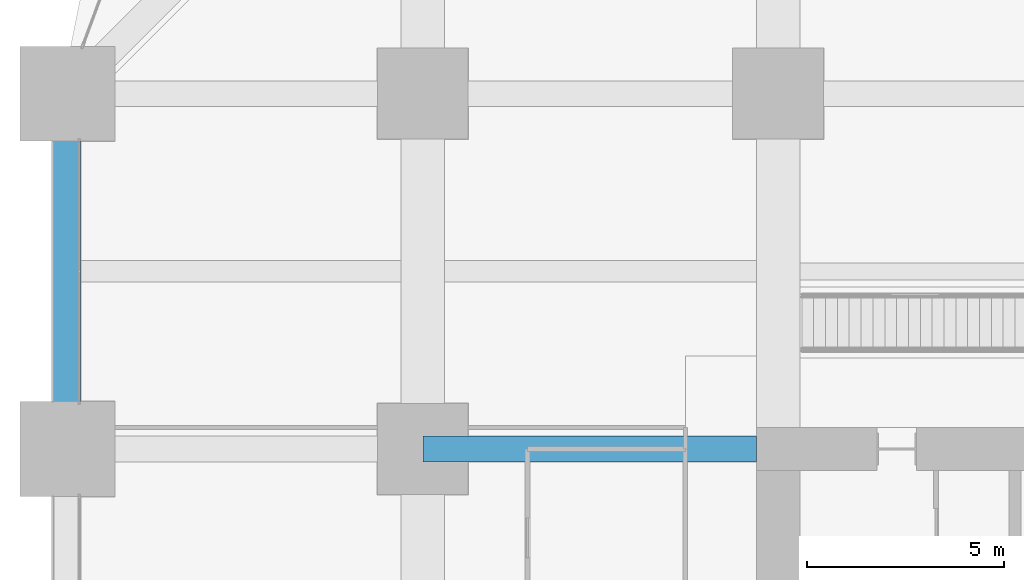
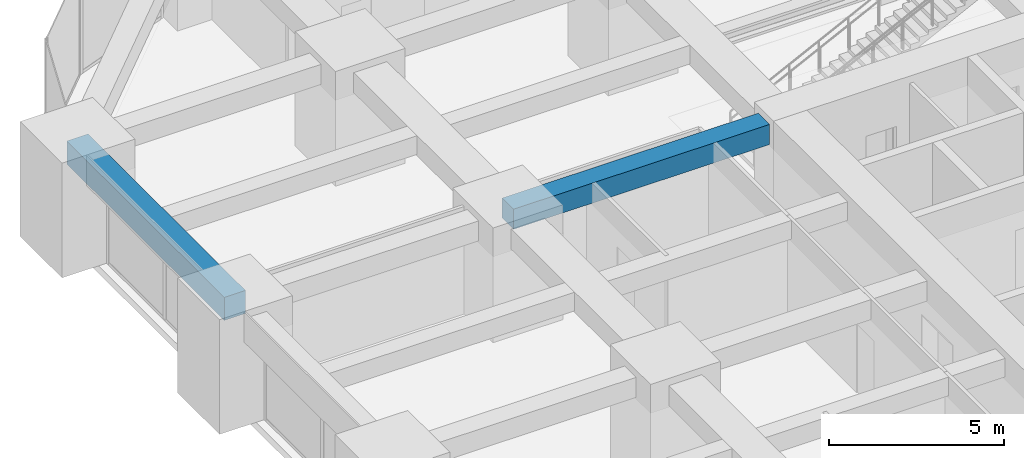
# One storey, part 24 of 45: 2 beams.
"""IFC4 building model written with IfcOpenShell, lengths in metres."""

from ifc_helpers import new_model, si_unit, direction, frame, origin, origin_2d, place, context, subcontext, project, spatial, rectangle, extrude, material, material_profile, profile_set, type_object, element, save


model = new_model("IFC4")

# Units and contexts
model_context = context("Model", 3, precision=1e-05, world=origin(), true_north=direction((0.0, 1.0)))
body_context = subcontext(model_context, "Body", "Model", "MODEL_VIEW")
ifc_project = project(units=[si_unit("LENGTHUNIT", "METRE"), si_unit("AREAUNIT", "SQUARE_METRE"), si_unit("VOLUMEUNIT", "CUBIC_METRE"), si_unit("PLANEANGLEUNIT", "RADIAN"), si_unit("MASSUNIT", "GRAM", prefix="KILO")], contexts=[model_context])

# Site, building, storey
site_placement = place(None, origin())
site = spatial("IfcSite", under=ifc_project, at=site_placement, CompositionType="ELEMENT")
building_placement = place(site_placement, origin())
building = spatial("IfcBuilding", under=site, at=building_placement, Name="Zorevar Civic Tower", CompositionType="ELEMENT")
storey_placement = place(building_placement, frame((0.0, 0.0, 39.800048828125)))
storey = spatial("IfcBuildingStorey", under=building, at=storey_placement, Name="L09", CompositionType="ELEMENT", Elevation=39.800048828125)

# Beams
ifc_material_1 = material(Name="Concrete C50/60", Category="concrete")
ifc_material_profile_1 = material_profile(ifc_material_1, rectangle(XDim=0.64990234375, YDim=0.699951171875, at=origin_2d()), Name="RC 650x700")
ifc_profile_set_1 = profile_set([ifc_material_profile_1], Name="Concrete C50/60")
beam_type_1 = type_object("IfcBeamType", Name="Beam RC 650x700", PredefinedType="BEAM", material=ifc_profile_set_1)
beam_1_placement = place(storey_placement, frame((9.0, 36.0, 3.39990234375), z_axis=(1.0, 0.0, 0.0), x_axis=(0.0, 1.0, 0.0)))
element("IfcBeam", 1, at=beam_1_placement, inside=storey, type_object=beam_type_1, Name="Girder L10", PredefinedType="BEAM", context=body_context, shape_type="SweptSolid", body=[
    extrude(rectangle(XDim=0.64990234375, YDim=0.699951171875, at=origin_2d()), origin(), (0.0, 0.0, 1.0), 8.449951171875),
])
ifc_material_2 = material(Name="Concrete C50/60", Category="concrete")
ifc_material_profile_2 = material_profile(ifc_material_2, rectangle(XDim=0.699951171875, YDim=0.800048828125, at=origin_2d()), Name="RC 700x800")
ifc_profile_set_2 = profile_set([ifc_material_profile_2], Name="Concrete C50/60")
beam_type_2 = type_object("IfcBeamType", Name="Edge beam RC 700x800", PredefinedType="SPANDREL", material=ifc_profile_set_2)
beam_2_placement = place(storey_placement, frame((0.0, 36.0, 3.349853515625), z_axis=(0.0, 1.0, 0.0), x_axis=(-1.0, 0.0, 0.0)))
element("IfcBeam", 2, at=beam_2_placement, inside=storey, type_object=beam_type_2, Name="Edge beam L10", PredefinedType="SPANDREL", context=body_context, shape_type="SweptSolid", body=[
    extrude(rectangle(XDim=0.699951171875, YDim=0.800048828125, at=origin_2d()), origin(), (0.0, 0.0, 1.0), 9.0),
])

save(model, "model.ifc")
